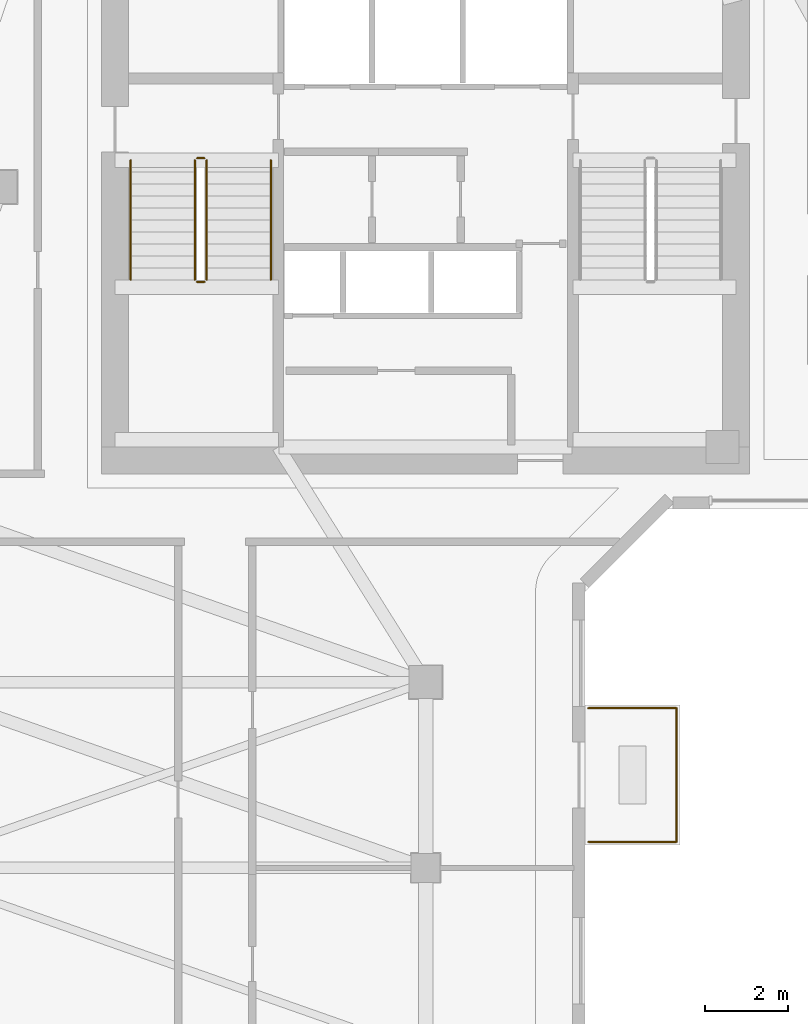
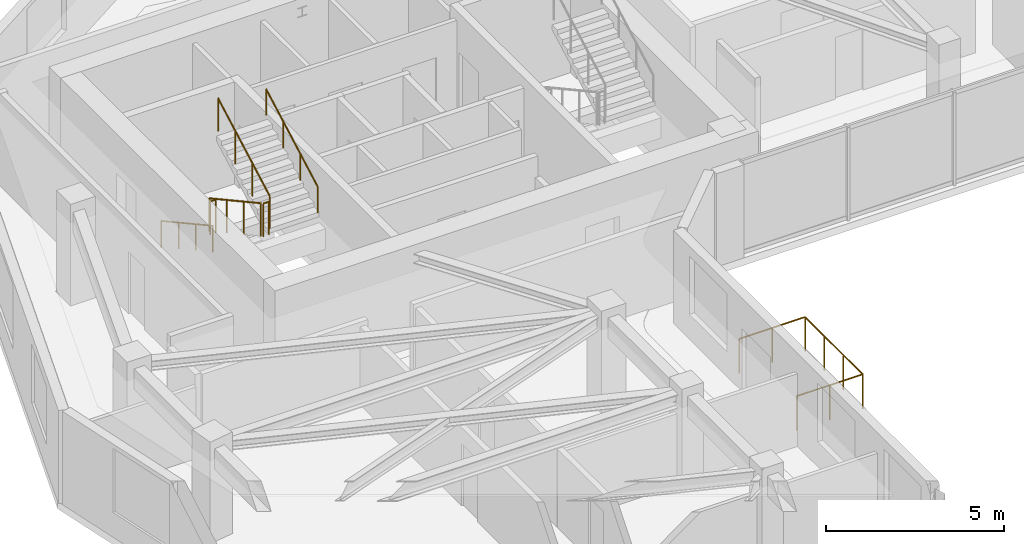
# One storey, part 7 of 9: 9 railings.
"""IFC4 building model written with IfcOpenShell, lengths in metres."""

from ifc_helpers import new_model, si_unit, direction, frame, origin, origin_2d, place, context, subcontext, project, spatial, circle, extrude, material, type_object, element, save


model = new_model("IFC4")

# Units and contexts
model_context = context("Model", 3, precision=1e-05, world=origin(), true_north=direction((0.0, 1.0)))
body_context = subcontext(model_context, "Body", "Model", "MODEL_VIEW")
ifc_project = project(units=[si_unit("LENGTHUNIT", "METRE"), si_unit("AREAUNIT", "SQUARE_METRE"), si_unit("VOLUMEUNIT", "CUBIC_METRE"), si_unit("PLANEANGLEUNIT", "RADIAN"), si_unit("MASSUNIT", "GRAM", prefix="KILO")], contexts=[model_context])

# Site, building, storey
site_placement = place(None, origin())
site = spatial("IfcSite", under=ifc_project, at=site_placement, CompositionType="ELEMENT")
building_placement = place(site_placement, origin())
building = spatial("IfcBuilding", under=site, at=building_placement, Name="Calvemar Wedge Station Tower", CompositionType="ELEMENT")
storey_placement = place(building_placement, frame((0.0, 0.0, 239.39990234375)))
storey = spatial("IfcBuildingStorey", under=building, at=storey_placement, Name="L61", CompositionType="ELEMENT", Elevation=239.39990234375)

# Railings
ifc_material_1 = material(Name="Stainless steel AISI 316L", Category="steel")
railing_type_1 = type_object("IfcRailingType", Name="GRD-TERR-1200", PredefinedType="GUARDRAIL", material=ifc_material_1)
railing_1_placement = place(storey_placement, frame((27.743896484375, 27.8701171875, 0.0)))
element("IfcRailing", 1, at=railing_1_placement, inside=storey, type_object=railing_type_1, Name="Storey L61 Spiral Terrace Guard 2", PredefinedType="GUARDRAIL", context=body_context, shape_type="SweptSolid", body=[
    extrude(circle(Radius=0.02392578125, at=origin_2d()), frame((0.0, 0.0, 1.17578125), z_axis=(1.0, 0.0, 0.0), x_axis=(0.0, 1.0, 0.0)), (0.0, 0.0, 1.0), 2.14013671875),
    extrude(circle(Radius=0.02099609375, at=origin_2d()), origin(), (0.0, 0.0, 1.0), 1.15185546875),
    extrude(circle(Radius=0.02099609375, at=origin_2d()), frame((1.070068359375, 0.0, 0.0)), (0.0, 0.0, 1.0), 1.15185546875),
    extrude(circle(Radius=0.02099609375, at=origin_2d()), frame((2.14013671875, 0.0, 0.0)), (0.0, 0.0, 1.0), 1.15185546875),
])
railing_2_placement = place(storey_placement, frame((29.884033203125, 27.8701171875, 0.0)))
element("IfcRailing", 2, at=railing_2_placement, inside=storey, type_object=railing_type_1, Name="Storey L61 Spiral Terrace Guard 3", PredefinedType="GUARDRAIL", context=body_context, shape_type="SweptSolid", body=[
    extrude(circle(Radius=0.02392578125, at=origin_2d()), frame((0.0, 0.0, 1.17578125), z_axis=(0.0, -1.0, 0.0), x_axis=(1.0, 0.0, 0.0)), (0.0, 0.0, 1.0), 3.240234375),
    extrude(circle(Radius=0.02099609375, at=origin_2d()), origin(), (0.0, 0.0, 1.0), 1.15185546875),
    extrude(circle(Radius=0.02099609375, at=origin_2d()), frame((0.0, -1.080078125, 0.0)), (0.0, 0.0, 1.0), 1.15185546875),
    extrude(circle(Radius=0.02099609375, at=origin_2d()), frame((0.0, -2.16015625, 0.0)), (0.0, 0.0, 1.0), 1.15185546875),
    extrude(circle(Radius=0.02099609375, at=origin_2d()), frame((0.0, -3.240234375, 0.0)), (0.0, 0.0, 1.0), 1.15185546875),
])
railing_3_placement = place(storey_placement, frame((29.884033203125, 24.6298828125, 0.0)))
element("IfcRailing", 3, at=railing_3_placement, inside=storey, type_object=railing_type_1, Name="Storey L61 Spiral Terrace Guard 4", PredefinedType="GUARDRAIL", context=body_context, shape_type="SweptSolid", body=[
    extrude(circle(Radius=0.02392578125, at=origin_2d()), frame((0.0, 0.0, 1.17578125), z_axis=(-1.0, 0.0, 0.0), x_axis=(0.0, -1.0, 0.0)), (0.0, 0.0, 1.0), 2.14013671875),
    extrude(circle(Radius=0.02099609375, at=origin_2d()), origin(), (0.0, 0.0, 1.0), 1.15185546875),
    extrude(circle(Radius=0.02099609375, at=origin_2d()), frame((-1.070068359375, 0.0, 0.0)), (0.0, 0.0, 1.0), 1.15185546875),
    extrude(circle(Radius=0.02099609375, at=origin_2d()), frame((-2.14013671875, 0.0, 0.0)), (0.0, 0.0, 1.0), 1.15185546875),
])
railing_type_2 = type_object("IfcRailingType", Name="RL-HANDRAIL-920", PredefinedType="HANDRAIL", material=ifc_material_1)
railing_4_placement = place(storey_placement, frame((16.64990234375, 41.14990234375, 0.1591796875)))
element("IfcRailing", 4, at=railing_4_placement, inside=storey, type_object=railing_type_2, Name="L61 ST-C1 stair handrail 1", PredefinedType="HANDRAIL", context=body_context, shape_type="SweptSolid", body=[
    extrude(circle(Radius=0.02392578125, at=origin_2d()), frame((0.0, 0.0, 0.89599609375), z_axis=(0.0, -0.876742130028, 0.480960744171), x_axis=(1.0, 0.0, 0.0)), (0.0, 0.0, 1.0), 3.3076171875),
    extrude(circle(Radius=0.02099609375, at=origin_2d()), origin(), (0.0, 0.0, 1.0), 0.871826171875),
    extrude(circle(Radius=0.02099609375, at=origin_2d()), frame((0.0, -0.966552734375, 0.5302734375)), (0.0, 0.0, 1.0), 0.871826171875),
    extrude(circle(Radius=0.02099609375, at=origin_2d()), frame((0.0, -1.933349609375, 1.060546875)), (0.0, 0.0, 1.0), 0.871826171875),
    extrude(circle(Radius=0.02099609375, at=origin_2d()), frame((0.0, -2.89990234375, 1.5908203125)), (0.0, 0.0, 1.0), 0.871826171875),
])
railing_5_placement = place(storey_placement, frame((20.050048828125, 38.25, 1.9091796875)))
element("IfcRailing", 5, at=railing_5_placement, inside=storey, type_object=railing_type_2, Name="L61 ST-C1 stair handrail 2", PredefinedType="HANDRAIL", context=body_context, shape_type="SweptSolid", body=[
    extrude(circle(Radius=0.02392578125, at=origin_2d()), frame((0.0, 0.0, 0.89599609375), z_axis=(0.0, 0.876742130028, 0.480960744171), x_axis=(-1.0, 0.0, 0.0)), (0.0, 0.0, 1.0), 3.3076171875),
    extrude(circle(Radius=0.02099609375, at=origin_2d()), origin(), (0.0, 0.0, 1.0), 0.871826171875),
    extrude(circle(Radius=0.02099609375, at=origin_2d()), frame((0.0, 0.966552734375, 0.5302734375)), (0.0, 0.0, 1.0), 0.871826171875),
    extrude(circle(Radius=0.02099609375, at=origin_2d()), frame((0.0, 1.933349609375, 1.060546875)), (0.0, 0.0, 1.0), 0.871826171875),
    extrude(circle(Radius=0.02099609375, at=origin_2d()), frame((0.0, 2.89990234375, 1.5908203125)), (0.0, 0.0, 1.0), 0.871826171875),
])
ifc_material_2 = material(Name="Painted steel guardrail ASTM A500 Grade C", Category="steel")
railing_type_3 = type_object("IfcRailingType", Name="RL-STAIR-GUARD-1150", PredefinedType="GUARDRAIL", material=ifc_material_2)
railing_6_placement = place(storey_placement, frame((18.2099609375, 41.14990234375, 0.1591796875)))
element("IfcRailing", 6, at=railing_6_placement, inside=storey, type_object=railing_type_3, Name="L61 ST-C1 stair guard 1", PredefinedType="GUARDRAIL", context=body_context, shape_type="SweptSolid", body=[
    extrude(circle(Radius=0.02392578125, at=origin_2d()), frame((0.0, 0.0, 1.1259765625), z_axis=(0.0, -0.876742130028, 0.480960744171), x_axis=(1.0, 0.0, 0.0)), (0.0, 0.0, 1.0), 3.3076171875),
    extrude(circle(Radius=0.02099609375, at=origin_2d()), origin(), (0.0, 0.0, 1.0), 1.101806640625),
    extrude(circle(Radius=0.02099609375, at=origin_2d()), frame((0.0, -0.966552734375, 0.5302734375)), (0.0, 0.0, 1.0), 1.101806640625),
    extrude(circle(Radius=0.02099609375, at=origin_2d()), frame((0.0, -1.933349609375, 1.060546875)), (0.0, 0.0, 1.0), 1.101806640625),
    extrude(circle(Radius=0.02099609375, at=origin_2d()), frame((0.0, -2.89990234375, 1.5908203125)), (0.0, 0.0, 1.0), 1.101806640625),
])
railing_7_placement = place(storey_placement, frame((18.260009765625, 38.199951171875, 1.75)))
element("IfcRailing", 7, at=railing_7_placement, inside=storey, type_object=railing_type_3, Name="L61 ST-C1 stair guard 2", PredefinedType="GUARDRAIL", context=body_context, shape_type="SweptSolid", body=[
    extrude(circle(Radius=0.02392578125, at=origin_2d()), frame((0.0, 0.0, 1.1259765625), z_axis=(1.0, 0.0, 0.0), x_axis=(0.0, 1.0, 0.0)), (0.0, 0.0, 1.0), 0.179931640625),
    extrude(circle(Radius=0.02099609375, at=origin_2d()), origin(), (0.0, 0.0, 1.0), 1.101806640625),
    extrude(circle(Radius=0.02099609375, at=origin_2d()), frame((0.179931640625, 0.0, 0.0)), (0.0, 0.0, 1.0), 1.101806640625),
])
railing_8_placement = place(storey_placement, frame((18.489990234375, 38.25, 1.9091796875)))
element("IfcRailing", 8, at=railing_8_placement, inside=storey, type_object=railing_type_3, Name="L61 ST-C1 stair guard 3", PredefinedType="GUARDRAIL", context=body_context, shape_type="SweptSolid", body=[
    extrude(circle(Radius=0.02392578125, at=origin_2d()), frame((0.0, 0.0, 1.1259765625), z_axis=(0.0, 0.876742130028, 0.480960744171), x_axis=(-1.0, 0.0, 0.0)), (0.0, 0.0, 1.0), 3.3076171875),
    extrude(circle(Radius=0.02099609375, at=origin_2d()), origin(), (0.0, 0.0, 1.0), 1.101806640625),
    extrude(circle(Radius=0.02099609375, at=origin_2d()), frame((0.0, 0.966552734375, 0.5302734375)), (0.0, 0.0, 1.0), 1.101806640625),
    extrude(circle(Radius=0.02099609375, at=origin_2d()), frame((0.0, 1.933349609375, 1.060546875)), (0.0, 0.0, 1.0), 1.101806640625),
    extrude(circle(Radius=0.02099609375, at=origin_2d()), frame((0.0, 2.89990234375, 1.5908203125)), (0.0, 0.0, 1.0), 1.101806640625),
])
railing_9_placement = place(storey_placement, frame((18.260009765625, 41.199951171875, 0.0)))
element("IfcRailing", 9, at=railing_9_placement, inside=storey, type_object=railing_type_3, Name="L61 ST-C1 stair guard 4", PredefinedType="GUARDRAIL", context=body_context, shape_type="SweptSolid", body=[
    extrude(circle(Radius=0.02392578125, at=origin_2d()), frame((0.0, 0.0, 1.1259765625), z_axis=(1.0, 0.0, 0.0), x_axis=(0.0, 1.0, 0.0)), (0.0, 0.0, 1.0), 0.179931640625),
    extrude(circle(Radius=0.02099609375, at=origin_2d()), origin(), (0.0, 0.0, 1.0), 1.101806640625),
    extrude(circle(Radius=0.02099609375, at=origin_2d()), frame((0.179931640625, 0.0, 0.0)), (0.0, 0.0, 1.0), 1.101806640625),
])

save(model, "model.ifc")
